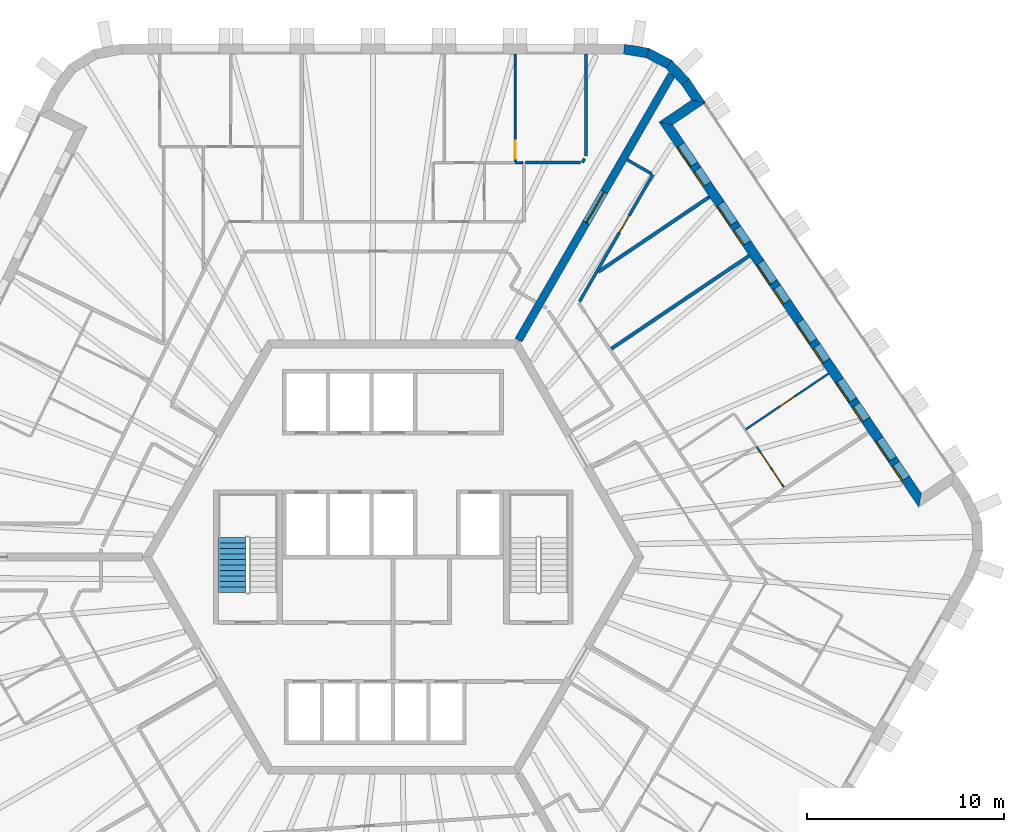
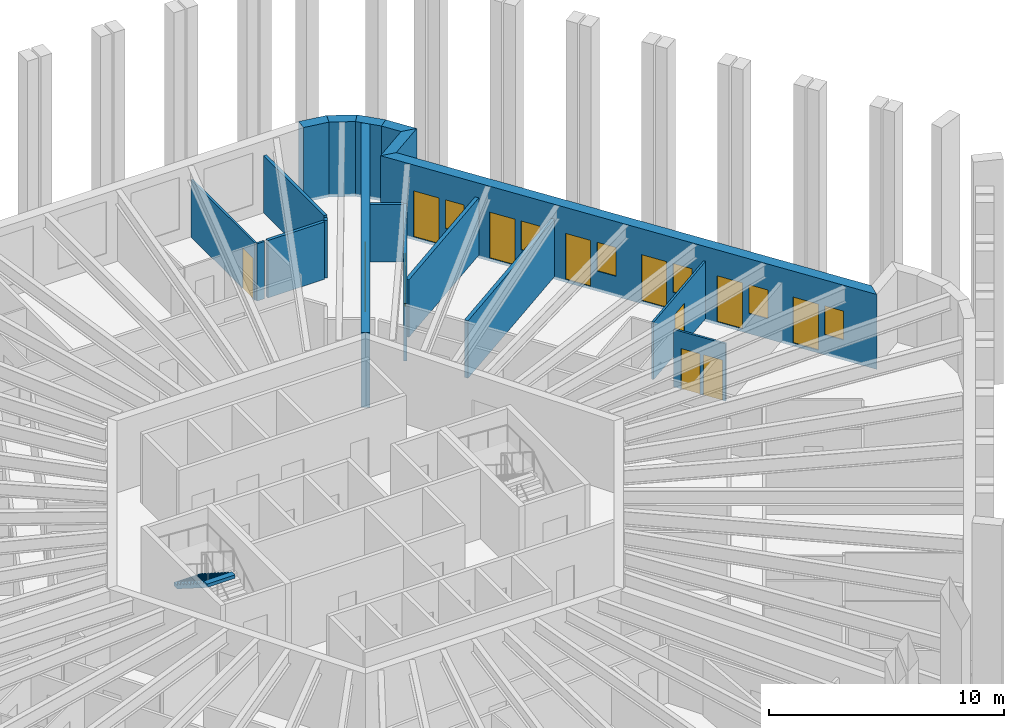
# One storey, part 10 of 13: 18 walls, 12 doors, 6 windows, 1 stair flight, 18 openings, 1 element without a shape of its own.
"""IFC4 building model written with IfcOpenShell, lengths in metres."""

from ifc_helpers import new_model, si_unit, direction, frame, frame_2d, origin, place, context, subcontext, project, spatial, polyline, rectangle, outline, extrude, material, layer, layer_set, type_object, element, fill, aggregate, save


model = new_model("IFC4")

# Units and contexts
model_context = context("Model", 3, precision=1e-05, world=origin(), true_north=direction((0.0, 1.0)))
body_context = subcontext(model_context, "Body", "Model", "MODEL_VIEW")
ifc_project = project(units=[si_unit("LENGTHUNIT", "METRE"), si_unit("AREAUNIT", "SQUARE_METRE"), si_unit("VOLUMEUNIT", "CUBIC_METRE"), si_unit("PLANEANGLEUNIT", "RADIAN"), si_unit("MASSUNIT", "GRAM", prefix="KILO")], contexts=[model_context])

# Site, building, storey
site_placement = place(None, origin())
site = spatial("IfcSite", under=ifc_project, at=site_placement, CompositionType="ELEMENT")
building_placement = place(site_placement, origin())
building = spatial("IfcBuilding", under=site, at=building_placement, Name="Tarnside Tower", CompositionType="ELEMENT")
storey_placement = place(building_placement, frame((0.0, 0.0, 303.0)))
storey = spatial("IfcBuildingStorey", under=building, at=storey_placement, Name="L73", CompositionType="ELEMENT", Elevation=303.0)

# Wall
ifc_material_1 = material(Name="Gypsum board partition on steel studs", Category="steel")
ifc_layer_1 = layer(ifc_material_1, 0.10009765625)
ifc_layer_set_1 = layer_set([ifc_layer_1], Name="Bathroom wall 100")
wall_type_1 = type_object("IfcWallType", Name="Bathroom wall 100", PredefinedType="PARTITIONING", material=ifc_layer_set_1)
wall_1_placement = place(storey_placement, frame((6.5537109375, 20.0, 0.0), z_axis=(0.0, 0.0, 1.0), x_axis=(-1.0, 0.0, 0.0)))
element("IfcWall", 1, at=wall_1_placement, inside=storey, type_object=wall_type_1, Name="Bathroom wall 24090", PredefinedType="PARTITIONING", context=body_context, shape_type="SweptSolid", body=[
    extrude(rectangle(XDim=0.37841796875, YDim=0.10009765625, at=frame_2d((0.189208984375, 0.0))), origin(), (0.0, 0.0, 1.0), 2.98779296875),
])

# Wall, opening, door
ifc_material_2 = material(Name="Concrete C60/75", Category="concrete")
ifc_layer_2 = layer(ifc_material_2, 0.39990234375)
ifc_layer_set_2 = layer_set([ifc_layer_2], Name="Core wall Z3 400 C60/75")
wall_type_2 = type_object("IfcWallType", Name="Core wall Z3 400 C60/75", PredefinedType="SHEAR", material=ifc_layer_set_2)
wall_2_placement = place(storey_placement, frame((6.350830078125, 11.0, -0.14990234375), z_axis=(0.0, 0.0, 1.0), x_axis=(0.499998894578, 0.866026041999, 0.0)))
wall_2 = element("IfcWall", 2, at=wall_2_placement, inside=storey, type_object=wall_type_2, Name="L73 spine wall 1", PredefinedType="SHEAR", context=body_context, shape_type="SweptSolid", body=[
    extrude(rectangle(XDim=15.54443359375, YDim=0.39990234375, at=frame_2d((7.772216796875, 0.0))), origin(), (0.0, 0.0, 1.0), 3.89990234375),
])
opening_1_placement = place(wall_2_placement, frame((6.872314453125, 0.0, 0.14990234375)))
opening_1 = element("IfcOpeningElement", 3, at=opening_1_placement, cuts=wall_2, Name="Opening CD-SPN", PredefinedType="OPENING", context=body_context, shape_type="SweptSolid", body=[
    extrude(rectangle(XDim=1.800048828125, YDim=2.39990234375, at=frame_2d((0.89990234375, 1.199951171875))), frame((0.0, 0.2099609375, 0.0), z_axis=(0.0, -1.0, 0.0), x_axis=(1.0, 0.0, 0.0)), (0.0, 0.0, 1.0), 0.419921875),
])
ifc_material_3 = material(Name="Steel fire door", Category="steel")
door_type_1 = type_object("IfcDoorType", Name="Spine passage double door FD60 1800x2400", OperationType="NOTDEFINED", PredefinedType="DOOR", material=ifc_material_3)
door_1_placement = place(opening_1_placement, origin())
door_1 = element("IfcDoor", 4, at=door_1_placement, inside=storey, type_object=door_type_1, Name="L73 spine passage door 1", OperationType="DOUBLE_DOOR_SINGLE_SWING", OverallHeight=2.39990234375, OverallWidth=1.800048828125, PredefinedType="DOOR", context=body_context, shape_type="SweptSolid", body=[
    extrude(rectangle(XDim=1.800048828125, YDim=2.39990234375, at=frame_2d((0.89990234375, 1.199951171875))), frame((0.0, 0.02490234375, 0.0), z_axis=(0.0, -1.0, 0.0), x_axis=(1.0, 0.0, 0.0)), (0.0, 0.0, 1.0), 0.050048828125),
])
fill(opening_1, door_1)

# Walls
ifc_layer_3 = layer(ifc_material_1, 0.14990234375)
ifc_layer_set_3 = layer_set([ifc_layer_3], Name="Corridor wall 150 EI 60")
wall_type_3 = type_object("IfcWallType", Name="Corridor wall 150 EI 60", PredefinedType="PARTITIONING", material=ifc_layer_set_3)
wall_3_placement = place(storey_placement, frame((9.775146484375, 25.5, 0.0), z_axis=(0.0, 0.0, 1.0), x_axis=(0.0, -1.0, 0.0)))
element("IfcWall", 5, at=wall_3_placement, inside=storey, type_object=wall_type_3, Name="Corridor wall 24005", PredefinedType="PARTITIONING", context=body_context, shape_type="SweptSolid", body=[
    extrude(rectangle(XDim=5.1689453125, YDim=0.14990234375, at=frame_2d((2.58447265625, 0.0))), origin(), (0.0, 0.0, 1.0), 2.98779296875),
])
wall_4_placement = place(storey_placement, frame((9.7001953125, 20.201171875, 0.0), z_axis=(0.0, 0.0, 1.0), x_axis=(-0.500207565094, -0.865905532852, 0.0)))
element("IfcWall", 6, at=wall_4_placement, inside=storey, type_object=wall_type_3, Name="Corridor wall 24006", PredefinedType="PARTITIONING", context=body_context, shape_type="SweptSolid", body=[
    extrude(rectangle(XDim=0.232421875, YDim=0.14990234375, at=frame_2d((0.1162109375, 0.0))), origin(), (0.0, 0.0, 1.0), 2.98779296875),
])
wall_5_placement = place(storey_placement, frame((9.497314453125, 20.0, 0.0), z_axis=(0.0, 0.0, 1.0), x_axis=(-1.0, 0.0, 0.0)))
element("IfcWall", 7, at=wall_5_placement, inside=storey, type_object=wall_type_3, Name="Corridor wall 24007", PredefinedType="PARTITIONING", context=body_context, shape_type="SweptSolid", body=[
    extrude(rectangle(XDim=2.799072265625, YDim=0.14990234375, at=frame_2d((1.3994140625, 0.0))), origin(), (0.0, 0.0, 1.0), 2.98779296875),
])

# Wall, opening, door
wall_6_placement = place(storey_placement, frame((9.44384765625, 12.957275390625, 0.0), z_axis=(0.0, 0.0, 1.0), x_axis=(0.500004967958, 0.866022535513, 0.0)))
wall_6 = element("IfcWall", 8, at=wall_6_placement, inside=storey, type_object=wall_type_3, Name="Corridor wall 24068", PredefinedType="PARTITIONING", context=body_context, shape_type="SweptSolid", body=[
    extrude(rectangle(XDim=7.4306640625, YDim=0.14990234375, at=frame_2d((3.71533203125, 0.0))), origin(), (0.0, 0.0, 1.0), 2.98779296875),
])
opening_2_placement = place(wall_6_placement, frame((4.02978515625, 0.0, 0.0)))
opening_2 = element("IfcOpeningElement", 9, at=opening_2_placement, cuts=wall_6, Name="Opening D-E1", PredefinedType="OPENING", context=body_context, shape_type="SweptSolid", body=[
    extrude(rectangle(XDim=1.0, YDim=2.10009765625, at=frame_2d((0.5, 1.050048828125))), frame((0.0, 0.0849609375, 0.0), z_axis=(0.0, -1.0, 0.0), x_axis=(1.0, 0.0, 0.0)), (0.0, 0.0, 1.0), 0.169921875),
])
ifc_material_4 = material(Name="Timber door leaf", Category="wood")
door_type_2 = type_object("IfcDoorType", Name="Unit entrance door 1000 FD30S", OperationType="NOTDEFINED", PredefinedType="DOOR", material=ifc_material_4)
door_2_placement = place(opening_2_placement, origin())
door_2 = element("IfcDoor", 10, at=door_2_placement, inside=storey, type_object=door_type_2, Name="Unit door 24060", OperationType="SINGLE_SWING_RIGHT", OverallHeight=2.10009765625, OverallWidth=1.0, PredefinedType="DOOR", context=body_context, shape_type="SweptSolid", body=[
    extrude(rectangle(XDim=1.0, YDim=2.10009765625, at=frame_2d((0.5, 1.050048828125))), frame((0.0, 0.02490234375, 0.0), z_axis=(0.0, -1.0, 0.0), x_axis=(1.0, 0.0, 0.0)), (0.0, 0.0, 1.0), 0.050048828125),
])
fill(opening_2, door_2)

# Walls
wall_7_placement = place(storey_placement, frame((13.09423828125, 19.429931640625, 0.0), z_axis=(0.0, 0.0, 1.0), x_axis=(-0.866062911188, 0.499935029643, 0.0)))
element("IfcWall", 11, at=wall_7_placement, inside=storey, type_object=wall_type_3, Name="Corridor wall 24070", PredefinedType="PARTITIONING", context=body_context, shape_type="SweptSolid", body=[
    extrude(rectangle(XDim=1.425048828125, YDim=0.14990234375, at=frame_2d((0.71240234375, 0.0))), origin(), (0.0, 0.0, 1.0), 2.98779296875),
])
ifc_layer_4 = layer(ifc_material_1, 0.179931640625)
ifc_layer_set_4 = layer_set([ifc_layer_4], Name="Demising wall 180 EI 60")
wall_type_4 = type_object("IfcWallType", Name="Demising wall 180 EI 60", PredefinedType="PARTITIONING", material=ifc_layer_set_4)
wall_8_placement = place(storey_placement, frame((18.042236328125, 15.276123046875, 0.0), z_axis=(0.0, 0.0, 1.0), x_axis=(-0.829037762759, -0.559192621481, 0.0)))
element("IfcWall", 12, at=wall_8_placement, inside=storey, type_object=wall_type_4, Name="Demising wall 24162", PredefinedType="PARTITIONING", context=body_context, shape_type="SweptSolid", body=[
    extrude(rectangle(XDim=8.425048828125, YDim=0.179931640625, at=frame_2d((4.21240234375, 0.0))), origin(), (0.0, 0.0, 1.0), 2.98779296875),
])
wall_9_placement = place(storey_placement, frame((16.029296875, 18.260498046875, 0.0), z_axis=(0.0, 0.0, 1.0), x_axis=(-0.82904538001, -0.559181328268, 0.0)))
element("IfcWall", 13, at=wall_9_placement, inside=storey, type_object=wall_type_4, Name="Demising wall 24166", PredefinedType="PARTITIONING", context=body_context, shape_type="SweptSolid", body=[
    extrude(rectangle(XDim=6.78955078125, YDim=0.179931640625, at=frame_2d((3.394775390625, 0.0))), origin(), (0.0, 0.0, 1.0), 2.98779296875),
])

# Wall, openings, doors, windows
ifc_material_5 = material(Name="Dark zinc cladding")
ifc_layer_5 = layer(ifc_material_5, 0.10205078125)
ifc_material_6 = material(Name="Concrete C60/75 precast", Category="concrete")
ifc_layer_6 = layer(ifc_material_6, 0.298095703125)
ifc_material_7 = material(Name="Mineral wool insulation")
ifc_layer_7 = layer(ifc_material_7, 0.10009765625)
ifc_layer_set_5 = layer_set([ifc_layer_5, ifc_layer_6, ifc_layer_7], Name="Loggia wall 500 zinc faced")
wall_type_5 = type_object("IfcWallType", Name="Loggia wall 500 zinc faced", PredefinedType="SOLIDWALL", material=ifc_layer_set_5)
wall_10_placement = place(storey_placement, frame((26.705810546875, 2.87890625, -0.14990234375), z_axis=(0.0, 0.0, 1.0), x_axis=(-0.559197891507, 0.829034208061, 0.0)))
wall_10 = element("IfcWall", 14, at=wall_10_placement, inside=storey, type_object=wall_type_5, Name="Tube wall L73 F6 back 30", PredefinedType="SOLIDWALL", context=body_context, shape_type="SweptSolid", body=[
    extrude(outline(polyline([(0.25, -0.25), (22.794677734375, -0.25), (23.294677734375, 0.25), (-0.25, 0.25), (0.25, -0.25)])), origin(), (0.0, 0.0, 1.0), 3.89990234375),
])
opening_3_placement = place(wall_10_placement, frame((1.322509765625, 0.0, 1.050048828125)))
opening_3 = element("IfcOpeningElement", 15, at=opening_3_placement, cuts=wall_10, Name="Opening WL500", PredefinedType="OPENING", context=body_context, shape_type="SweptSolid", body=[
    extrude(rectangle(XDim=0.89990234375, YDim=1.5, at=frame_2d((0.449951171875, 0.75))), frame((0.0, 0.260009765625, 0.0), z_axis=(0.0, -1.0, 0.0), x_axis=(1.0, 0.0, 0.0)), (0.0, 0.0, 1.0), 0.52001953125),
])
opening_4_placement = place(wall_10_placement, frame((2.5224609375, 0.0, 0.14990234375)))
opening_4 = element("IfcOpeningElement", 16, at=opening_4_placement, cuts=wall_10, Name="Opening DB500", PredefinedType="OPENING", context=body_context, shape_type="SweptSolid", body=[
    extrude(rectangle(XDim=1.199951171875, YDim=2.39990234375, at=frame_2d((0.60009765625, 1.199951171875))), frame((0.0, 0.260009765625, 0.0), z_axis=(0.0, -1.0, 0.0), x_axis=(1.0, 0.0, 0.0)), (0.0, 0.0, 1.0), 0.52001953125),
])
opening_5_placement = place(wall_10_placement, frame((4.92236328125, 0.0, 1.050048828125)))
opening_5 = element("IfcOpeningElement", 17, at=opening_5_placement, cuts=wall_10, Name="Opening WL500", PredefinedType="OPENING", context=body_context, shape_type="SweptSolid", body=[
    extrude(rectangle(XDim=0.89990234375, YDim=1.5, at=frame_2d((0.449951171875, 0.75))), frame((0.0, 0.260009765625, 0.0), z_axis=(0.0, -1.0, 0.0), x_axis=(1.0, 0.0, 0.0)), (0.0, 0.0, 1.0), 0.52001953125),
])
opening_6_placement = place(wall_10_placement, frame((6.122314453125, 0.0, 0.14990234375)))
opening_6 = element("IfcOpeningElement", 18, at=opening_6_placement, cuts=wall_10, Name="Opening DB500", PredefinedType="OPENING", context=body_context, shape_type="SweptSolid", body=[
    extrude(rectangle(XDim=1.199951171875, YDim=2.39990234375, at=frame_2d((0.60009765625, 1.199951171875))), frame((0.0, 0.260009765625, 0.0), z_axis=(0.0, -1.0, 0.0), x_axis=(1.0, 0.0, 0.0)), (0.0, 0.0, 1.0), 0.52001953125),
])
opening_7_placement = place(wall_10_placement, frame((8.5224609375, 0.0, 1.050048828125)))
opening_7 = element("IfcOpeningElement", 19, at=opening_7_placement, cuts=wall_10, Name="Opening WL500", PredefinedType="OPENING", context=body_context, shape_type="SweptSolid", body=[
    extrude(rectangle(XDim=0.89990234375, YDim=1.5, at=frame_2d((0.449951171875, 0.75))), frame((0.0, 0.260009765625, 0.0), z_axis=(0.0, -1.0, 0.0), x_axis=(1.0, 0.0, 0.0)), (0.0, 0.0, 1.0), 0.52001953125),
])
opening_8_placement = place(wall_10_placement, frame((9.722412109375, 0.0, 0.14990234375)))
opening_8 = element("IfcOpeningElement", 20, at=opening_8_placement, cuts=wall_10, Name="Opening DB500", PredefinedType="OPENING", context=body_context, shape_type="SweptSolid", body=[
    extrude(rectangle(XDim=1.199951171875, YDim=2.39990234375, at=frame_2d((0.60009765625, 1.199951171875))), frame((0.0, 0.260009765625, 0.0), z_axis=(0.0, -1.0, 0.0), x_axis=(1.0, 0.0, 0.0)), (0.0, 0.0, 1.0), 0.52001953125),
])
opening_9_placement = place(wall_10_placement, frame((12.122314453125, 0.0, 1.050048828125)))
opening_9 = element("IfcOpeningElement", 21, at=opening_9_placement, cuts=wall_10, Name="Opening WL500", PredefinedType="OPENING", context=body_context, shape_type="SweptSolid", body=[
    extrude(rectangle(XDim=0.89990234375, YDim=1.5, at=frame_2d((0.449951171875, 0.75))), frame((0.0, 0.260009765625, 0.0), z_axis=(0.0, -1.0, 0.0), x_axis=(1.0, 0.0, 0.0)), (0.0, 0.0, 1.0), 0.52001953125),
])
opening_10_placement = place(wall_10_placement, frame((13.322509765625, 0.0, 0.14990234375)))
opening_10 = element("IfcOpeningElement", 22, at=opening_10_placement, cuts=wall_10, Name="Opening DB500", PredefinedType="OPENING", context=body_context, shape_type="SweptSolid", body=[
    extrude(rectangle(XDim=1.199951171875, YDim=2.39990234375, at=frame_2d((0.60009765625, 1.199951171875))), frame((0.0, 0.260009765625, 0.0), z_axis=(0.0, -1.0, 0.0), x_axis=(1.0, 0.0, 0.0)), (0.0, 0.0, 1.0), 0.52001953125),
])
opening_11_placement = place(wall_10_placement, frame((15.722412109375, 0.0, 1.050048828125)))
opening_11 = element("IfcOpeningElement", 23, at=opening_11_placement, cuts=wall_10, Name="Opening WL500", PredefinedType="OPENING", context=body_context, shape_type="SweptSolid", body=[
    extrude(rectangle(XDim=0.89990234375, YDim=1.5, at=frame_2d((0.449951171875, 0.75))), frame((0.0, 0.260009765625, 0.0), z_axis=(0.0, -1.0, 0.0), x_axis=(1.0, 0.0, 0.0)), (0.0, 0.0, 1.0), 0.52001953125),
])
opening_12_placement = place(wall_10_placement, frame((16.92236328125, 0.0, 0.14990234375)))
opening_12 = element("IfcOpeningElement", 24, at=opening_12_placement, cuts=wall_10, Name="Opening DB500", PredefinedType="OPENING", context=body_context, shape_type="SweptSolid", body=[
    extrude(rectangle(XDim=1.199951171875, YDim=2.39990234375, at=frame_2d((0.60009765625, 1.199951171875))), frame((0.0, 0.260009765625, 0.0), z_axis=(0.0, -1.0, 0.0), x_axis=(1.0, 0.0, 0.0)), (0.0, 0.0, 1.0), 0.52001953125),
])
opening_13_placement = place(wall_10_placement, frame((19.322509765625, 0.0, 1.050048828125)))
opening_13 = element("IfcOpeningElement", 25, at=opening_13_placement, cuts=wall_10, Name="Opening WL500", PredefinedType="OPENING", context=body_context, shape_type="SweptSolid", body=[
    extrude(rectangle(XDim=0.89990234375, YDim=1.5, at=frame_2d((0.449951171875, 0.75))), frame((0.0, 0.260009765625, 0.0), z_axis=(0.0, -1.0, 0.0), x_axis=(1.0, 0.0, 0.0)), (0.0, 0.0, 1.0), 0.52001953125),
])
opening_14_placement = place(wall_10_placement, frame((20.5224609375, 0.0, 0.14990234375)))
opening_14 = element("IfcOpeningElement", 26, at=opening_14_placement, cuts=wall_10, Name="Opening DB500", PredefinedType="OPENING", context=body_context, shape_type="SweptSolid", body=[
    extrude(rectangle(XDim=1.199951171875, YDim=2.39990234375, at=frame_2d((0.60009765625, 1.199951171875))), frame((0.0, 0.260009765625, 0.0), z_axis=(0.0, -1.0, 0.0), x_axis=(1.0, 0.0, 0.0)), (0.0, 0.0, 1.0), 0.52001953125),
])
ifc_material_8 = material(Name="Aluminium-framed double glazing", Category="aluminium")
door_type_3 = type_object("IfcDoorType", Name="Balcony sliding door 1200 x 2400 in 500 wall", OperationType="SLIDING_TO_LEFT", PredefinedType="DOOR", material=ifc_material_8)
door_3_placement = place(opening_4_placement, frame((0.0, 0.1748046875, 0.0)))
door_3 = element("IfcDoor", 27, at=door_3_placement, inside=storey, type_object=door_type_3, Name="E.BD.L73.F6.00", OperationType="SLIDING_TO_LEFT", OverallHeight=2.39990234375, OverallWidth=1.199951171875, PredefinedType="DOOR", context=body_context, shape_type="SweptSolid", body=[
    extrude(rectangle(XDim=1.199951171875, YDim=2.39990234375, at=frame_2d((0.60009765625, 1.199951171875))), frame((0.0, 0.02490234375, 0.0), z_axis=(0.0, -1.0, 0.0), x_axis=(1.0, 0.0, 0.0)), (0.0, 0.0, 1.0), 0.050048828125),
])
fill(opening_4, door_3)
door_4_placement = place(opening_6_placement, frame((0.0, 0.1748046875, 0.0)))
door_4 = element("IfcDoor", 28, at=door_4_placement, inside=storey, type_object=door_type_3, Name="E.BD.L73.F6.01", OperationType="SLIDING_TO_LEFT", OverallHeight=2.39990234375, OverallWidth=1.199951171875, PredefinedType="DOOR", context=body_context, shape_type="SweptSolid", body=[
    extrude(rectangle(XDim=1.199951171875, YDim=2.39990234375, at=frame_2d((0.60009765625, 1.199951171875))), frame((0.0, 0.02490234375, 0.0), z_axis=(0.0, -1.0, 0.0), x_axis=(1.0, 0.0, 0.0)), (0.0, 0.0, 1.0), 0.050048828125),
])
fill(opening_6, door_4)
door_5_placement = place(opening_8_placement, frame((0.0, 0.1748046875, 0.0)))
door_5 = element("IfcDoor", 29, at=door_5_placement, inside=storey, type_object=door_type_3, Name="E.BD.L73.F6.02", OperationType="SLIDING_TO_LEFT", OverallHeight=2.39990234375, OverallWidth=1.199951171875, PredefinedType="DOOR", context=body_context, shape_type="SweptSolid", body=[
    extrude(rectangle(XDim=1.199951171875, YDim=2.39990234375, at=frame_2d((0.60009765625, 1.199951171875))), frame((0.0, 0.02490234375, 0.0), z_axis=(0.0, -1.0, 0.0), x_axis=(1.0, 0.0, 0.0)), (0.0, 0.0, 1.0), 0.050048828125),
])
fill(opening_8, door_5)
door_6_placement = place(opening_10_placement, frame((0.0, 0.1748046875, 0.0)))
door_6 = element("IfcDoor", 30, at=door_6_placement, inside=storey, type_object=door_type_3, Name="E.BD.L73.F6.03", OperationType="SLIDING_TO_LEFT", OverallHeight=2.39990234375, OverallWidth=1.199951171875, PredefinedType="DOOR", context=body_context, shape_type="SweptSolid", body=[
    extrude(rectangle(XDim=1.199951171875, YDim=2.39990234375, at=frame_2d((0.60009765625, 1.199951171875))), frame((0.0, 0.02490234375, 0.0), z_axis=(0.0, -1.0, 0.0), x_axis=(1.0, 0.0, 0.0)), (0.0, 0.0, 1.0), 0.050048828125),
])
fill(opening_10, door_6)
door_7_placement = place(opening_12_placement, frame((0.0, 0.1748046875, 0.0)))
door_7 = element("IfcDoor", 31, at=door_7_placement, inside=storey, type_object=door_type_3, Name="E.BD.L73.F6.04", OperationType="SLIDING_TO_LEFT", OverallHeight=2.39990234375, OverallWidth=1.199951171875, PredefinedType="DOOR", context=body_context, shape_type="SweptSolid", body=[
    extrude(rectangle(XDim=1.199951171875, YDim=2.39990234375, at=frame_2d((0.60009765625, 1.199951171875))), frame((0.0, 0.02490234375, 0.0), z_axis=(0.0, -1.0, 0.0), x_axis=(1.0, 0.0, 0.0)), (0.0, 0.0, 1.0), 0.050048828125),
])
fill(opening_12, door_7)
door_8_placement = place(opening_14_placement, frame((0.0, 0.1748046875, 0.0)))
door_8 = element("IfcDoor", 32, at=door_8_placement, inside=storey, type_object=door_type_3, Name="E.BD.L73.F6.05", OperationType="SLIDING_TO_LEFT", OverallHeight=2.39990234375, OverallWidth=1.199951171875, PredefinedType="DOOR", context=body_context, shape_type="SweptSolid", body=[
    extrude(rectangle(XDim=1.199951171875, YDim=2.39990234375, at=frame_2d((0.60009765625, 1.199951171875))), frame((0.0, 0.02490234375, 0.0), z_axis=(0.0, -1.0, 0.0), x_axis=(1.0, 0.0, 0.0)), (0.0, 0.0, 1.0), 0.050048828125),
])
fill(opening_14, door_8)
window_type = type_object("IfcWindowType", Name="Loggia window 900 x 1500 in 500 wall", PartitioningType="SINGLE_PANEL", PredefinedType="WINDOW", material=ifc_material_8)
window_1_placement = place(opening_3_placement, frame((0.0, 0.179931640625, 0.0)))
window_1 = element("IfcWindow", 33, at=window_1_placement, inside=storey, type_object=window_type, Name="E.LW.L73.F6.00", OverallHeight=1.5, OverallWidth=0.89990234375, PartitioningType="SINGLE_PANEL", PredefinedType="WINDOW", context=body_context, shape_type="SweptSolid", body=[
    extrude(rectangle(XDim=0.89990234375, YDim=1.5, at=frame_2d((0.449951171875, 0.75))), frame((0.0, 0.030029296875, 0.0), z_axis=(0.0, -1.0, 0.0), x_axis=(1.0, 0.0, 0.0)), (0.0, 0.0, 1.0), 0.06005859375),
])
fill(opening_3, window_1)
window_2_placement = place(opening_5_placement, frame((0.0, 0.179931640625, 0.0)))
window_2 = element("IfcWindow", 34, at=window_2_placement, inside=storey, type_object=window_type, Name="E.LW.L73.F6.01", OverallHeight=1.5, OverallWidth=0.89990234375, PartitioningType="SINGLE_PANEL", PredefinedType="WINDOW", context=body_context, shape_type="SweptSolid", body=[
    extrude(rectangle(XDim=0.89990234375, YDim=1.5, at=frame_2d((0.449951171875, 0.75))), frame((0.0, 0.030029296875, 0.0), z_axis=(0.0, -1.0, 0.0), x_axis=(1.0, 0.0, 0.0)), (0.0, 0.0, 1.0), 0.06005859375),
])
fill(opening_5, window_2)
window_3_placement = place(opening_7_placement, frame((0.0, 0.179931640625, 0.0)))
window_3 = element("IfcWindow", 35, at=window_3_placement, inside=storey, type_object=window_type, Name="E.LW.L73.F6.02", OverallHeight=1.5, OverallWidth=0.89990234375, PartitioningType="SINGLE_PANEL", PredefinedType="WINDOW", context=body_context, shape_type="SweptSolid", body=[
    extrude(rectangle(XDim=0.89990234375, YDim=1.5, at=frame_2d((0.449951171875, 0.75))), frame((0.0, 0.030029296875, 0.0), z_axis=(0.0, -1.0, 0.0), x_axis=(1.0, 0.0, 0.0)), (0.0, 0.0, 1.0), 0.06005859375),
])
fill(opening_7, window_3)
window_4_placement = place(opening_9_placement, frame((0.0, 0.179931640625, 0.0)))
window_4 = element("IfcWindow", 36, at=window_4_placement, inside=storey, type_object=window_type, Name="E.LW.L73.F6.03", OverallHeight=1.5, OverallWidth=0.89990234375, PartitioningType="SINGLE_PANEL", PredefinedType="WINDOW", context=body_context, shape_type="SweptSolid", body=[
    extrude(rectangle(XDim=0.89990234375, YDim=1.5, at=frame_2d((0.449951171875, 0.75))), frame((0.0, 0.030029296875, 0.0), z_axis=(0.0, -1.0, 0.0), x_axis=(1.0, 0.0, 0.0)), (0.0, 0.0, 1.0), 0.06005859375),
])
fill(opening_9, window_4)
window_5_placement = place(opening_11_placement, frame((0.0, 0.179931640625, 0.0)))
window_5 = element("IfcWindow", 37, at=window_5_placement, inside=storey, type_object=window_type, Name="E.LW.L73.F6.04", OverallHeight=1.5, OverallWidth=0.89990234375, PartitioningType="SINGLE_PANEL", PredefinedType="WINDOW", context=body_context, shape_type="SweptSolid", body=[
    extrude(rectangle(XDim=0.89990234375, YDim=1.5, at=frame_2d((0.449951171875, 0.75))), frame((0.0, 0.030029296875, 0.0), z_axis=(0.0, -1.0, 0.0), x_axis=(1.0, 0.0, 0.0)), (0.0, 0.0, 1.0), 0.06005859375),
])
fill(opening_11, window_5)
window_6_placement = place(opening_13_placement, frame((0.0, 0.179931640625, 0.0)))
window_6 = element("IfcWindow", 38, at=window_6_placement, inside=storey, type_object=window_type, Name="E.LW.L73.F6.05", OverallHeight=1.5, OverallWidth=0.89990234375, PartitioningType="SINGLE_PANEL", PredefinedType="WINDOW", context=body_context, shape_type="SweptSolid", body=[
    extrude(rectangle(XDim=0.89990234375, YDim=1.5, at=frame_2d((0.449951171875, 0.75))), frame((0.0, 0.030029296875, 0.0), z_axis=(0.0, -1.0, 0.0), x_axis=(1.0, 0.0, 0.0)), (0.0, 0.0, 1.0), 0.06005859375),
])
fill(opening_13, window_6)

# Walls
wall_11_placement = place(storey_placement, frame((13.8193359375, 21.983642578125, -0.14990234375), z_axis=(0.0, 0.0, 1.0), x_axis=(0.829052389485, 0.559170935841, 0.0)))
element("IfcWall", 39, at=wall_11_placement, inside=storey, type_object=wall_type_5, Name="Tube wall L73 F6 return 31", PredefinedType="SOLIDWALL", context=body_context, shape_type="SweptSolid", body=[
    extrude(outline(polyline([(0.25, -0.25), (2.25, -0.25), (1.75, 0.25), (-0.25, 0.25), (0.25, -0.25)])), origin(), (0.0, 0.0, 1.0), 3.89990234375),
])
wall_12_placement = place(storey_placement, frame((15.4775390625, 23.10205078125, -0.14990234375), z_axis=(0.0, 0.0, 1.0), x_axis=(-0.559245726333, 0.829001940636, 0.0)))
element("IfcWall", 40, at=wall_12_placement, inside=storey, type_object=wall_type_5, Name="Tube wall L73 F6 stub 32", PredefinedType="SOLIDWALL", context=body_context, shape_type="SweptSolid", body=[
    extrude(outline(polyline([(-0.25, -0.25), (1.220703125, -0.25), (1.1796875, 0.25), (0.25, 0.25), (-0.25, -0.25)])), origin(), (0.0, 0.0, 1.0), 3.89990234375),
])

# Wall, opening, door
ifc_layer_8 = layer(ifc_material_1, 0.10009765625)
ifc_layer_set_6 = layer_set([ifc_layer_8], Name="Partition 100")
wall_type_6 = type_object("IfcWallType", Name="Partition 100", PredefinedType="PARTITIONING", material=ifc_layer_set_6)
wall_13_placement = place(storey_placement, frame((6.17529296875, 25.5, 0.0), z_axis=(0.0, 0.0, 1.0), x_axis=(0.0, -1.0, 0.0)))
wall_13 = element("IfcWall", 41, at=wall_13_placement, inside=storey, type_object=wall_type_6, Name="Partition wall 24092", PredefinedType="PARTITIONING", context=body_context, shape_type="SweptSolid", body=[
    extrude(rectangle(XDim=5.449951171875, YDim=0.10009765625, at=frame_2d((2.72509765625, 0.0))), origin(), (0.0, 0.0, 1.0), 2.98779296875),
])
opening_15_placement = place(wall_13_placement, frame((4.39990234375, 0.0, 0.0)))
opening_15 = element("IfcOpeningElement", 42, at=opening_15_placement, cuts=wall_13, Name="Opening D-I1", PredefinedType="OPENING", context=body_context, shape_type="SweptSolid", body=[
    extrude(rectangle(XDim=0.89990234375, YDim=2.10009765625, at=frame_2d((0.449951171875, 1.050048828125))), frame((0.0, 0.06005859375, 0.0), z_axis=(0.0, -1.0, 0.0), x_axis=(1.0, 0.0, 0.0)), (0.0, 0.0, 1.0), 0.1201171875),
])
door_type_4 = type_object("IfcDoorType", Name="Internal door 900", OperationType="NOTDEFINED", PredefinedType="DOOR", material=ifc_material_4)
door_9_placement = place(opening_15_placement, origin())
door_9 = element("IfcDoor", 43, at=door_9_placement, inside=storey, type_object=door_type_4, Name="Internal door 24006", OperationType="SINGLE_SWING_RIGHT", OverallHeight=2.10009765625, OverallWidth=0.89990234375, PredefinedType="DOOR", context=body_context, shape_type="SweptSolid", body=[
    extrude(rectangle(XDim=0.89990234375, YDim=2.10009765625, at=frame_2d((0.449951171875, 1.050048828125))), frame((0.0, 0.02490234375, 0.0), z_axis=(0.0, -1.0, 0.0), x_axis=(1.0, 0.0, 0.0)), (0.0, 0.0, 1.0), 0.050048828125),
])
fill(opening_15, door_9)

wall_14_placement = place(storey_placement, frame((17.8818359375, 6.483154296875, 0.0), z_axis=(0.0, 0.0, 1.0), x_axis=(0.829063268522, 0.559154805745, 0.0)))
wall_14 = element("IfcWall", 44, at=wall_14_placement, inside=storey, type_object=wall_type_6, Name="Partition wall 24161", PredefinedType="PARTITIONING", context=body_context, shape_type="SweptSolid", body=[
    extrude(rectangle(XDim=5.050048828125, YDim=0.10009765625, at=frame_2d((2.52490234375, 0.0))), origin(), (0.0, 0.0, 1.0), 2.98779296875),
])
opening_16_placement = place(wall_14_placement, frame((2.074951171875, 0.0, 0.0)))
opening_16 = element("IfcOpeningElement", 45, at=opening_16_placement, cuts=wall_14, Name="Opening D-I1", PredefinedType="OPENING", context=body_context, shape_type="SweptSolid", body=[
    extrude(rectangle(XDim=0.89990234375, YDim=2.10009765625, at=frame_2d((0.449951171875, 1.050048828125))), frame((0.0, 0.06005859375, 0.0), z_axis=(0.0, -1.0, 0.0), x_axis=(1.0, 0.0, 0.0)), (0.0, 0.0, 1.0), 0.1201171875),
])
door_10_placement = place(opening_16_placement, origin())
door_10 = element("IfcDoor", 46, at=door_10_placement, inside=storey, type_object=door_type_4, Name="Internal door 24062", OperationType="SINGLE_SWING_LEFT", OverallHeight=2.10009765625, OverallWidth=0.89990234375, PredefinedType="DOOR", context=body_context, shape_type="SweptSolid", body=[
    extrude(rectangle(XDim=0.89990234375, YDim=2.10009765625, at=frame_2d((0.449951171875, 1.050048828125))), frame((0.0, 0.02490234375, 0.0), z_axis=(0.0, -1.0, 0.0), x_axis=(1.0, 0.0, 0.0)), (0.0, 0.0, 1.0), 0.050048828125),
])
fill(opening_16, door_10)

# Wall, openings, doors
wall_15_placement = place(storey_placement, frame((19.80322265625, 3.545166015625, 0.0), z_axis=(0.0, 0.0, 1.0), x_axis=(-0.559200318931, 0.829032570716, 0.0)))
wall_15 = element("IfcWall", 47, at=wall_15_placement, inside=storey, type_object=wall_type_6, Name="Partition wall 24164", PredefinedType="PARTITIONING", context=body_context, shape_type="SweptSolid", body=[
    extrude(rectangle(XDim=2.4619140625, YDim=0.10009765625, at=frame_2d((1.23095703125, 0.0))), origin(), (0.0, 0.0, 1.0), 2.98779296875),
])
opening_17_placement = place(wall_15_placement, frame((0.14990234375, 0.0, 0.0)))
opening_17 = element("IfcOpeningElement", 48, at=opening_17_placement, cuts=wall_15, Name="Opening D-I1", PredefinedType="OPENING", context=body_context, shape_type="SweptSolid", body=[
    extrude(rectangle(XDim=0.89990234375, YDim=2.10009765625, at=frame_2d((0.449951171875, 1.050048828125))), frame((0.0, 0.06005859375, 0.0), z_axis=(0.0, -1.0, 0.0), x_axis=(1.0, 0.0, 0.0)), (0.0, 0.0, 1.0), 0.1201171875),
])
opening_18_placement = place(wall_15_placement, frame((1.2099609375, 0.0, 0.0)))
opening_18 = element("IfcOpeningElement", 49, at=opening_18_placement, cuts=wall_15, Name="Opening D-I1", PredefinedType="OPENING", context=body_context, shape_type="SweptSolid", body=[
    extrude(rectangle(XDim=0.89990234375, YDim=2.10009765625, at=frame_2d((0.449951171875, 1.050048828125))), frame((0.0, 0.06005859375, 0.0), z_axis=(0.0, -1.0, 0.0), x_axis=(1.0, 0.0, 0.0)), (0.0, 0.0, 1.0), 0.1201171875),
])
door_11_placement = place(opening_17_placement, origin())
door_11 = element("IfcDoor", 50, at=door_11_placement, inside=storey, type_object=door_type_4, Name="Internal door 24057", OperationType="SINGLE_SWING_LEFT", OverallHeight=2.10009765625, OverallWidth=0.89990234375, PredefinedType="DOOR", context=body_context, shape_type="SweptSolid", body=[
    extrude(rectangle(XDim=0.89990234375, YDim=2.10009765625, at=frame_2d((0.449951171875, 1.050048828125))), frame((0.0, 0.02490234375, 0.0), z_axis=(0.0, -1.0, 0.0), x_axis=(1.0, 0.0, 0.0)), (0.0, 0.0, 1.0), 0.050048828125),
])
fill(opening_17, door_11)
door_12_placement = place(opening_18_placement, origin())
door_12 = element("IfcDoor", 51, at=door_12_placement, inside=storey, type_object=door_type_4, Name="Internal door 24058", OperationType="SINGLE_SWING_LEFT", OverallHeight=2.10009765625, OverallWidth=0.89990234375, PredefinedType="DOOR", context=body_context, shape_type="SweptSolid", body=[
    extrude(rectangle(XDim=0.89990234375, YDim=2.10009765625, at=frame_2d((0.449951171875, 1.050048828125))), frame((0.0, 0.02490234375, 0.0), z_axis=(0.0, -1.0, 0.0), x_axis=(1.0, 0.0, 0.0)), (0.0, 0.0, 1.0), 0.050048828125),
])
fill(opening_18, door_12)

# Walls
ifc_material_9 = material(Name="Facing brick", Category="masonry")
ifc_layer_9 = layer(ifc_material_9, 0.10205078125)
ifc_layer_10 = layer(ifc_material_6, 0.298095703125)
ifc_layer_11 = layer(ifc_material_7, 0.10009765625)
ifc_layer_set_7 = layer_set([ifc_layer_9, ifc_layer_10, ifc_layer_11], Name="Tube wall 500 brick faced")
wall_type_7 = type_object("IfcWallType", Name="Tube wall 500 brick faced", PredefinedType="SOLIDWALL", material=ifc_layer_set_7)
wall_16_placement = place(storey_placement, frame((14.806396484375, 24.096923828125, -0.14990234375), z_axis=(0.0, 0.0, 1.0), x_axis=(-0.686234452793, 0.727380420275, 0.0)))
element("IfcWall", 52, at=wall_16_placement, inside=storey, type_object=wall_type_7, Name="Tube wall L73 F6 chord 33", PredefinedType="SOLIDWALL", context=body_context, shape_type="SweptSolid", body=[
    extrude(outline(polyline([(-0.0205078125, -0.25), (1.25732421875, -0.25), (1.17529296875, 0.25), (0.0205078125, 0.25), (-0.0205078125, -0.25)])), origin(), (0.0, 0.0, 1.0), 3.89990234375),
])
wall_17_placement = place(storey_placement, frame((13.9716796875, 24.981689453125, -0.14990234375), z_axis=(0.0, 0.0, 1.0), x_axis=(-0.882902492938, 0.469556373575, 0.0)))
element("IfcWall", 53, at=wall_17_placement, inside=storey, type_object=wall_type_7, Name="Tube wall L73 F6 chord 34", PredefinedType="SOLIDWALL", context=body_context, shape_type="SweptSolid", body=[
    extrude(outline(polyline([(-0.041015625, -0.25), (1.257080078125, -0.25), (1.175048828125, 0.25), (0.041015625, 0.25), (-0.041015625, -0.25)])), origin(), (0.0, 0.0, 1.0), 3.89990234375),
])
wall_18_placement = place(storey_placement, frame((12.89794921875, 25.552734375, -0.14990234375), z_axis=(0.0, 0.0, 1.0), x_axis=(-0.986765617372, 0.16215306464, 0.0)))
element("IfcWall", 54, at=wall_18_placement, inside=storey, type_object=wall_type_7, Name="Tube wall L73 F6 chord 35", PredefinedType="SOLIDWALL", context=body_context, shape_type="SweptSolid", body=[
    extrude(outline(polyline([(-0.041015625, -0.25), (1.237060546875, -0.25), (1.196044921875, 0.25), (0.041015625, 0.25), (-0.041015625, -0.25)])), origin(), (0.0, 0.0, 1.0), 3.89990234375),
])

# Stair, stair flight
ifc_material_10 = material(Name="Concrete C40/50", Category="concrete")
stair_type = type_object("IfcStairType", Name="Exit stair 1400 clear", PredefinedType="HALF_TURN_STAIR", material=ifc_material_10)
stair_placement = place(storey_placement, origin())
stair = element("IfcStair", 55, at=stair_placement, inside=storey, type_object=stair_type, Name="L73 Exit stair 2", PredefinedType="HALF_TURN_STAIR")
stair_flight_type = type_object("IfcStairFlightType", Name="Exit stair flight 1400", PredefinedType="STRAIGHT", material=ifc_material_10)
stair_flight_placement = place(storey_placement, frame((-8.14990234375, 1.0, 1.949951171875), z_axis=(0.0, 0.0, 1.0), x_axis=(0.0, -1.0, 0.0)))
stair_flight = element("IfcStairFlight", 56, at=stair_flight_placement, type_object=stair_flight_type, Name="ST2 flight 2", NumberOfRisers=11, NumberOfTreads=10, PredefinedType="STRAIGHT", RiserHeight=0.177272727, TreadLength=0.28, context=body_context, shape_type="SweptSolid", body=[
    extrude(outline(polyline([(0.0, 0.0), (0.0, 0.17724609375), (0.280029296875, 0.17724609375), (0.280029296875, 0.3544921875), (0.56005859375, 0.3544921875), (0.56005859375, 0.53173828125), (0.840087890625, 0.53173828125), (0.840087890625, 0.708984375), (1.1201171875, 0.708984375), (1.1201171875, 0.886474609375), (1.39990234375, 0.886474609375), (1.39990234375, 1.063720703125), (1.679931640625, 1.063720703125), (1.679931640625, 1.240966796875), (1.9599609375, 1.240966796875), (1.9599609375, 1.418212890625), (2.239990234375, 1.418212890625), (2.239990234375, 1.595458984375), (2.52001953125, 1.595458984375), (2.52001953125, 1.772705078125), (2.800048828125, 1.772705078125), (2.800048828125, 1.949951171875), (2.800048828125, 1.59521484375), (0.2802734375, 0.0), (0.0, 0.0)])), frame((0.0, 0.699951171875, 0.0), z_axis=(0.0, -1.0, 0.0), x_axis=(1.0, 0.0, 0.0)), (0.0, 0.0, 1.0), 1.39990234375),
])
aggregate(stair, [stair_flight])

save(model, "model.ifc")
